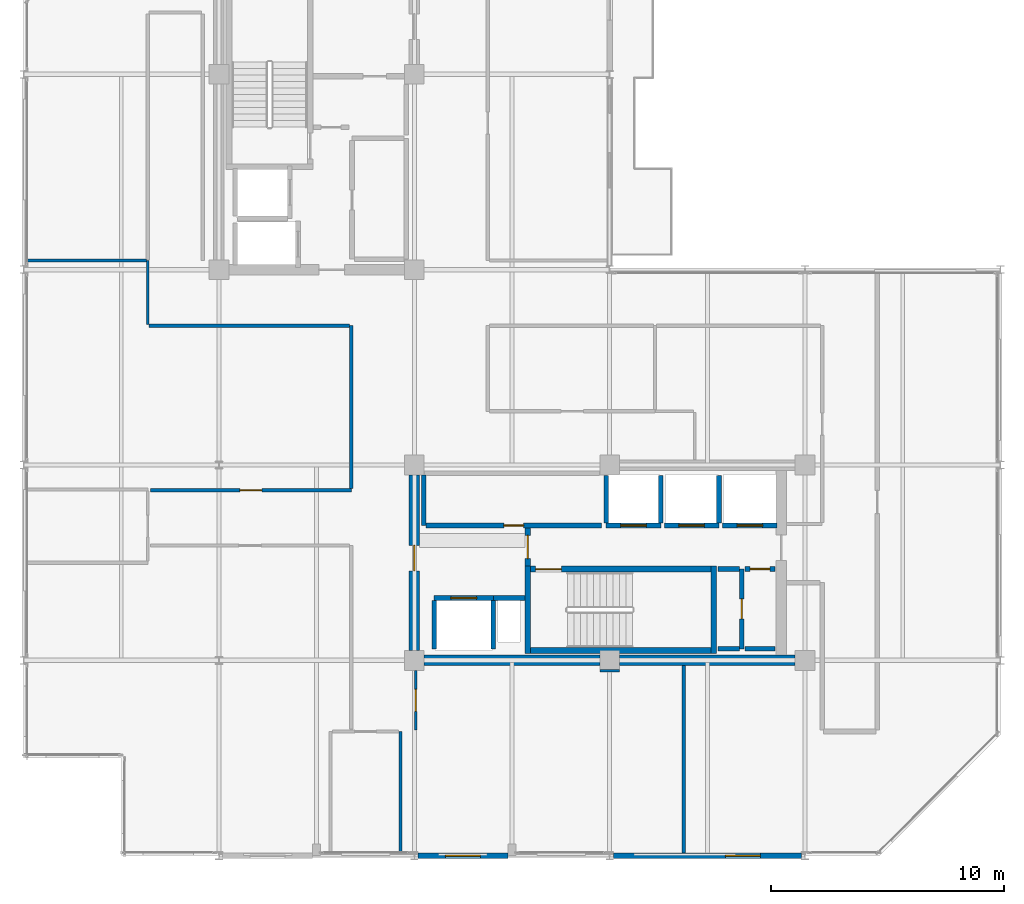
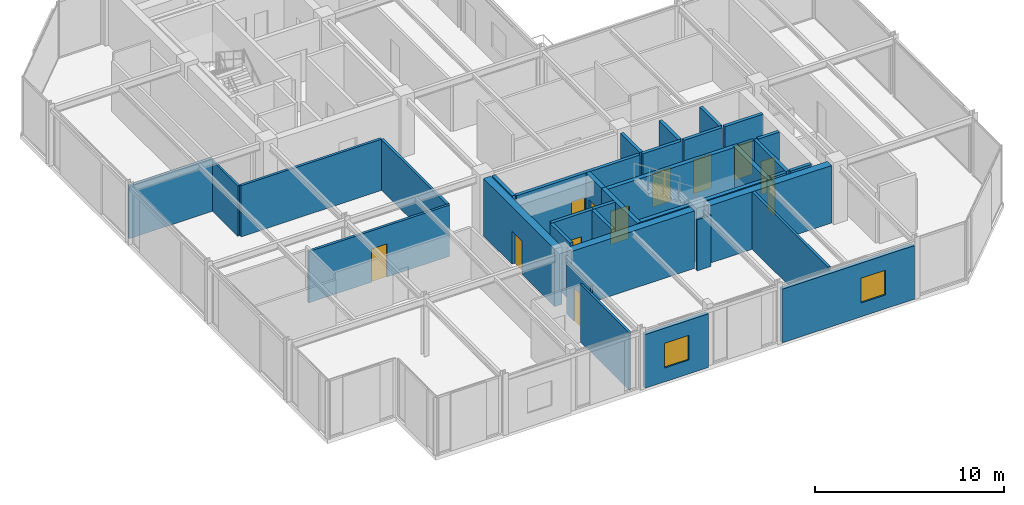
# One storey, part 21 of 26: 36 walls, 12 doors, 2 windows, 14 openings.
"""IFC4 building model written with IfcOpenShell, lengths in metres."""

from ifc_helpers import new_model, si_unit, direction, frame, frame_2d, origin, place, context, subcontext, project, spatial, rectangle, extrude, material, layer, layer_set, type_object, element, fill, save


model = new_model("IFC4")

# Units and contexts
model_context = context("Model", 3, precision=1e-05, world=origin(), true_north=direction((0.0, 1.0)))
body_context = subcontext(model_context, "Body", "Model", "MODEL_VIEW")
ifc_project = project(units=[si_unit("LENGTHUNIT", "METRE"), si_unit("AREAUNIT", "SQUARE_METRE"), si_unit("VOLUMEUNIT", "CUBIC_METRE"), si_unit("PLANEANGLEUNIT", "RADIAN"), si_unit("MASSUNIT", "GRAM", prefix="KILO")], contexts=[model_context])

# Site, building, storey
site_placement = place(None, origin())
site = spatial("IfcSite", under=ifc_project, at=site_placement, CompositionType="ELEMENT")
building_placement = place(site_placement, origin())
building = spatial("IfcBuilding", under=site, at=building_placement, Name="Nerrivon Quay Data Exchange", CompositionType="ELEMENT")
storey_placement = place(building_placement, frame((0.0, 0.0, 270.199951171875)))
storey = spatial("IfcBuildingStorey", under=building, at=storey_placement, Name="L64", CompositionType="ELEMENT", Elevation=270.199951171875)

# Wall, opening, window
ifc_material_1 = material(Name="Architectural terracotta precast concrete N50 (50 MPa)", Category="masonry")
ifc_layer_1 = layer(ifc_material_1, 0.239990234375)
ifc_layer_set_1 = layer_set([ifc_layer_1], Name="Architectural terracotta precast concrete N50 (50 MPa)")
wall_type_1 = type_object("IfcWallType", Name="EW-PREC-240", PredefinedType="STANDARD", material=ifc_layer_set_1)
wall_1_placement = place(storey_placement, frame((33.444580078125, 0.0, 0.0), z_axis=(0.0, 0.0, 1.0), x_axis=(-1.0, 0.0, 0.0)))
wall_1 = element("IfcWall", 1, at=wall_1_placement, inside=storey, type_object=wall_type_1, Name="L64 Podium Precast Spandrel Wall 3", PredefinedType="STANDARD", context=body_context, shape_type="SweptSolid", body=[
    extrude(rectangle(XDim=8.089111328125, YDim=0.239990234375, at=frame_2d((4.04443359375, 0.0))), origin(), (0.0, 0.0, 1.0), 3.47509765625),
])
opening_1_placement = place(wall_1_placement, frame((1.76953125, 0.0, 0.89990234375)))
opening_1 = element("IfcOpeningElement", 2, at=opening_1_placement, cuts=wall_1, Name="Opening WN4", PredefinedType="OPENING", context=body_context, shape_type="SweptSolid", body=[
    extrude(rectangle(XDim=1.5, YDim=1.60009765625, at=frame_2d((0.75, 0.800048828125))), frame((0.0, 0.1298828125, 0.0), z_axis=(0.0, -1.0, 0.0), x_axis=(1.0, 0.0, 0.0)), (0.0, 0.0, 1.0), 0.260009765625),
])
ifc_material_2 = material(Name="Double-glazed low-E solar control glass", Category="glass")
window_type = type_object("IfcWindowType", Name="WIN-W4-1500x1600", PartitioningType="SINGLE_PANEL", PredefinedType="WINDOW", material=ifc_material_2)
window_1_placement = place(opening_1_placement, origin())
window_1 = element("IfcWindow", 3, at=window_1_placement, inside=storey, type_object=window_type, Name="L64 Solar Facade Window 3", OverallHeight=1.60009765625, OverallWidth=1.5, PartitioningType="SINGLE_PANEL", PredefinedType="WINDOW", context=body_context, shape_type="SweptSolid", body=[
    extrude(rectangle(XDim=1.5, YDim=1.60009765625, at=frame_2d((0.75, 0.800048828125))), frame((0.0, 0.030029296875, 0.0), z_axis=(0.0, -1.0, 0.0), x_axis=(1.0, 0.0, 0.0)), (0.0, 0.0, 1.0), 0.06005859375),
])
fill(opening_1, window_1)

wall_2_placement = place(storey_placement, frame((20.824951171875, 0.0, 0.0), z_axis=(0.0, 0.0, 1.0), x_axis=(-1.0, 0.0, 0.0)))
wall_2 = element("IfcWall", 4, at=wall_2_placement, inside=storey, type_object=wall_type_1, Name="L64 Podium Precast Spandrel Wall 5", PredefinedType="STANDARD", context=body_context, shape_type="SweptSolid", body=[
    extrude(rectangle(XDim=3.869384765625, YDim=0.239990234375, at=frame_2d((1.9345703125, 0.0))), origin(), (0.0, 0.0, 1.0), 3.47509765625),
])
opening_2_placement = place(wall_2_placement, frame((1.184814453125, 0.0, 0.89990234375)))
opening_2 = element("IfcOpeningElement", 5, at=opening_2_placement, cuts=wall_2, Name="Opening WN4", PredefinedType="OPENING", context=body_context, shape_type="SweptSolid", body=[
    extrude(rectangle(XDim=1.5, YDim=1.60009765625, at=frame_2d((0.75, 0.800048828125))), frame((0.0, 0.1298828125, 0.0), z_axis=(0.0, -1.0, 0.0), x_axis=(1.0, 0.0, 0.0)), (0.0, 0.0, 1.0), 0.260009765625),
])
window_2_placement = place(opening_2_placement, origin())
window_2 = element("IfcWindow", 6, at=window_2_placement, inside=storey, type_object=window_type, Name="L64 Solar Facade Window 5", OverallHeight=1.60009765625, OverallWidth=1.5, PartitioningType="SINGLE_PANEL", PredefinedType="WINDOW", context=body_context, shape_type="SweptSolid", body=[
    extrude(rectangle(XDim=1.5, YDim=1.60009765625, at=frame_2d((0.75, 0.800048828125))), frame((0.0, 0.030029296875, 0.0), z_axis=(0.0, -1.0, 0.0), x_axis=(1.0, 0.0, 0.0)), (0.0, 0.0, 1.0), 0.06005859375),
])
fill(opening_2, window_2)

# Walls
ifc_material_3 = material(Name="Concrete N50 (50 MPa)", Category="concrete")
ifc_layer_2 = layer(ifc_material_3, 0.449951171875)
ifc_layer_set_2 = layer_set([ifc_layer_2], Name="Concrete N50 (50 MPa)")
wall_type_2 = type_object("IfcWallType", Name="WALL-CW-550", PredefinedType="SHEAR", material=ifc_layer_set_2)
wall_3_placement = place(storey_placement, frame((17.22509765625, 8.39990234375, 0.0), z_axis=(0.0, 0.0, 1.0), x_axis=(1.0, 0.0, 0.0)))
element("IfcWall", 7, at=wall_3_placement, inside=storey, type_object=wall_type_2, Name="L64 East Split-Core Shear Wall ECW-S1", PredefinedType="SHEAR", context=body_context, shape_type="SweptSolid", body=[
    extrude(rectangle(XDim=7.5498046875, YDim=0.449951171875, at=frame_2d((3.77490234375, 0.0))), origin(), (0.0, 0.0, 1.0), 3.72509765625),
])
wall_4_placement = place(storey_placement, frame((25.625, 8.39990234375, 0.0), z_axis=(0.0, 0.0, 1.0), x_axis=(1.0, 0.0, 0.0)))
element("IfcWall", 8, at=wall_4_placement, inside=storey, type_object=wall_type_2, Name="L64 East Split-Core Shear Wall ECW-S2", PredefinedType="SHEAR", context=body_context, shape_type="SweptSolid", body=[
    extrude(rectangle(XDim=7.550048828125, YDim=0.449951171875, at=frame_2d((3.77490234375, 0.0))), origin(), (0.0, 0.0, 1.0), 3.72509765625),
])

# Wall, opening, door
wall_5_placement = place(storey_placement, frame((16.800048828125, 8.824951171875, 0.0), z_axis=(0.0, 0.0, 1.0), x_axis=(0.0, 1.0, 0.0)))
wall_5 = element("IfcWall", 9, at=wall_5_placement, inside=storey, type_object=wall_type_2, Name="L64 East Split-Core Shear Wall ECW-W1", PredefinedType="SHEAR", context=body_context, shape_type="SweptSolid", body=[
    extrude(rectangle(XDim=7.550048828125, YDim=0.449951171875, at=frame_2d((3.77490234375, 0.0))), origin(), (0.0, 0.0, 1.0), 3.72509765625),
])
opening_3_placement = place(wall_5_placement, frame((3.425048828125, 0.0, 0.0)))
opening_3 = element("IfcOpeningElement", 10, at=opening_3_placement, cuts=wall_5, Name="Opening FD-120", PredefinedType="OPENING", context=body_context, shape_type="SweptSolid", body=[
    extrude(rectangle(XDim=1.10009765625, YDim=2.14990234375, at=frame_2d((0.550048828125, 1.074951171875))), frame((0.0, 0.23486328125, 0.0), z_axis=(0.0, -1.0, 0.0), x_axis=(1.0, 0.0, 0.0)), (0.0, 0.0, 1.0), 0.469970703125),
])
ifc_material_4 = material(Name="Powder-coated galvanized steel sheet", Category="steel")
door_type_1 = type_object("IfcDoorType", Name="DR-FD120-1100", OperationType="NOTDEFINED", PredefinedType="DOOR", material=ifc_material_4)
door_1_placement = place(opening_3_placement, origin())
door_1 = element("IfcDoor", 11, at=door_1_placement, inside=storey, type_object=door_type_1, Name="L64 East Core Lobby Fire Door", OperationType="SINGLE_SWING_RIGHT", OverallHeight=2.14990234375, OverallWidth=1.10009765625, PredefinedType="DOOR", context=body_context, shape_type="SweptSolid", body=[
    extrude(rectangle(XDim=1.10009765625, YDim=2.14990234375, at=frame_2d((0.550048828125, 1.074951171875))), frame((0.0, 0.02490234375, 0.0), z_axis=(0.0, -1.0, 0.0), x_axis=(1.0, 0.0, 0.0)), (0.0, 0.0, 1.0), 0.050048828125),
])
fill(opening_3, door_1)

# Wall
ifc_material_5 = material(Name="Gypsum plasterboard on cold-formed framing", Category="gypsum")
ifc_layer_3 = layer(ifc_material_5, 0.199951171875)
ifc_layer_set_3 = layer_set([ifc_layer_3], Name="Gypsum plasterboard on cold-formed framing")
wall_type_3 = type_object("IfcWallType", Name="WALL-FW-200", PredefinedType="PARTITIONING", material=ifc_layer_set_3)
wall_6_placement = place(storey_placement, frame((20.199951171875, 11.080078125, 0.0), z_axis=(0.0, 0.0, 1.0), x_axis=(1.0, 0.0, 0.0)))
element("IfcWall", 12, at=wall_6_placement, inside=storey, type_object=wall_type_3, Name="L64 East Core MEP Riser Shaft Wall N", PredefinedType="PARTITIONING", context=body_context, shape_type="SweptSolid", body=[
    extrude(rectangle(XDim=1.35009765625, YDim=0.199951171875, at=frame_2d((0.675048828125, 0.0))), origin(), (0.0, 0.0, 1.0), 3.72509765625),
])

# Wall, opening, door
wall_7_placement = place(storey_placement, frame((17.64990234375, 11.080078125, 0.0), z_axis=(0.0, 0.0, 1.0), x_axis=(1.0, 0.0, 0.0)))
wall_7 = element("IfcWall", 13, at=wall_7_placement, inside=storey, type_object=wall_type_3, Name="L64 Lift Front Wall FFL-2", PredefinedType="PARTITIONING", context=body_context, shape_type="SweptSolid", body=[
    extrude(rectangle(XDim=2.550048828125, YDim=0.199951171875, at=frame_2d((1.27490234375, 0.0))), origin(), (0.0, 0.0, 1.0), 3.72509765625),
])
opening_4_placement = place(wall_7_placement, frame((0.72509765625, 0.0, 0.0)))
opening_4 = element("IfcOpeningElement", 14, at=opening_4_placement, cuts=wall_7, Name="Opening LD-120", PredefinedType="OPENING", context=body_context, shape_type="SweptSolid", body=[
    extrude(rectangle(XDim=1.10009765625, YDim=2.199951171875, at=frame_2d((0.550048828125, 1.10009765625))), frame((0.0, 0.10986328125, 0.0), z_axis=(0.0, -1.0, 0.0), x_axis=(1.0, 0.0, 0.0)), (0.0, 0.0, 1.0), 0.219970703125),
])
door_type_2 = type_object("IfcDoorType", Name="DR-LIFT-LD120", OperationType="DOUBLE_DOOR_SLIDING", PredefinedType="DOOR", material=ifc_material_4)
door_2_placement = place(opening_4_placement, origin())
door_2 = element("IfcDoor", 15, at=door_2_placement, inside=storey, type_object=door_type_2, Name="L64 Lift Landing Sliding Door FFL-2", OperationType="DOUBLE_DOOR_SLIDING", OverallHeight=2.199951171875, OverallWidth=1.10009765625, PredefinedType="DOOR", context=body_context, shape_type="SweptSolid", body=[
    extrude(rectangle(XDim=1.10009765625, YDim=2.199951171875, at=frame_2d((0.550048828125, 1.10009765625))), frame((0.0, 0.02490234375, 0.0), z_axis=(0.0, -1.0, 0.0), x_axis=(1.0, 0.0, 0.0)), (0.0, 0.0, 1.0), 0.050048828125),
])
fill(opening_4, door_2)

# Walls
for number, where, z_axis, x_axis, name in (
    (16, (20.199951171875, 8.8798828125, 0.0), (0.0, 0.0, 1.0), (0.0, 1.0, 0.0), "L64 Lift Shaft Wall FFL-2 EAST"),
    (17, (17.64990234375, 8.8798828125, 0.0), (0.0, 0.0, 1.0), (0.0, 1.0, 0.0), "L64 Lift Shaft Wall FFL-2 WEST"),
):
    element("IfcWall", number, at=place(storey_placement, frame(where, z_axis=z_axis, x_axis=x_axis)), inside=storey, type_object=wall_type_3, Name=name, PredefinedType="PARTITIONING", context=body_context, shape_type="SweptSolid", body=[
        extrude(rectangle(XDim=2.10009765625, YDim=0.199951171875, at=frame_2d((1.050048828125, 0.0))), origin(), (0.0, 0.0, 1.0), 3.72509765625),
    ])

# Wall, opening, door
wall_8_placement = place(storey_placement, frame((25.050048828125, 14.199951171875, 0.0), z_axis=(0.0, 0.0, 1.0), x_axis=(1.0, 0.0, 0.0)))
wall_8 = element("IfcWall", 18, at=wall_8_placement, inside=storey, type_object=wall_type_3, Name="L64 Lift Front Wall PL7", PredefinedType="PARTITIONING", context=body_context, shape_type="SweptSolid", body=[
    extrude(rectangle(XDim=2.349853515625, YDim=0.199951171875, at=frame_2d((1.1748046875, 0.0))), origin(), (0.0, 0.0, 1.0), 3.72509765625),
])
opening_5_placement = place(wall_8_placement, frame((0.625, 0.0, 0.0)))
opening_5 = element("IfcOpeningElement", 19, at=opening_5_placement, cuts=wall_8, Name="Opening LD-120", PredefinedType="OPENING", context=body_context, shape_type="SweptSolid", body=[
    extrude(rectangle(XDim=1.10009765625, YDim=2.199951171875, at=frame_2d((0.550048828125, 1.10009765625))), frame((0.0, 0.10986328125, 0.0), z_axis=(0.0, -1.0, 0.0), x_axis=(1.0, 0.0, 0.0)), (0.0, 0.0, 1.0), 0.219970703125),
])
door_3_placement = place(opening_5_placement, origin())
door_3 = element("IfcDoor", 20, at=door_3_placement, inside=storey, type_object=door_type_2, Name="L64 Lift Landing Sliding Door PL7", OperationType="DOUBLE_DOOR_SLIDING", OverallHeight=2.199951171875, OverallWidth=1.10009765625, PredefinedType="DOOR", context=body_context, shape_type="SweptSolid", body=[
    extrude(rectangle(XDim=1.10009765625, YDim=2.199951171875, at=frame_2d((0.550048828125, 1.10009765625))), frame((0.0, 0.02490234375, 0.0), z_axis=(0.0, -1.0, 0.0), x_axis=(1.0, 0.0, 0.0)), (0.0, 0.0, 1.0), 0.050048828125),
])
fill(opening_5, door_3)

# Walls
for number, where, z_axis, x_axis, name in (
    (21, (27.39990234375, 14.300048828125, 0.0), (0.0, 0.0, 1.0), (0.0, 1.0, 0.0), "L64 Lift Shaft Wall PL7 EAST"),
    (22, (25.050048828125, 14.300048828125, 0.0), (0.0, 0.0, 1.0), (0.0, 1.0, 0.0), "L64 Lift Shaft Wall PL7 WEST"),
):
    element("IfcWall", number, at=place(storey_placement, frame(where, z_axis=z_axis, x_axis=x_axis)), inside=storey, type_object=wall_type_3, Name=name, PredefinedType="PARTITIONING", context=body_context, shape_type="SweptSolid", body=[
        extrude(rectangle(XDim=2.050048828125, YDim=0.199951171875, at=frame_2d((1.02490234375, 0.0))), origin(), (0.0, 0.0, 1.0), 3.72509765625),
    ])

# Wall, opening, door
wall_9_placement = place(storey_placement, frame((27.550048828125, 14.199951171875, 0.0), z_axis=(0.0, 0.0, 1.0), x_axis=(1.0, 0.0, 0.0)))
wall_9 = element("IfcWall", 23, at=wall_9_placement, inside=storey, type_object=wall_type_3, Name="L64 Lift Front Wall PL8", PredefinedType="PARTITIONING", context=body_context, shape_type="SweptSolid", body=[
    extrude(rectangle(XDim=2.349853515625, YDim=0.199951171875, at=frame_2d((1.1748046875, 0.0))), origin(), (0.0, 0.0, 1.0), 3.72509765625),
])
opening_6_placement = place(wall_9_placement, frame((0.625, 0.0, 0.0)))
opening_6 = element("IfcOpeningElement", 24, at=opening_6_placement, cuts=wall_9, Name="Opening LD-120", PredefinedType="OPENING", context=body_context, shape_type="SweptSolid", body=[
    extrude(rectangle(XDim=1.10009765625, YDim=2.199951171875, at=frame_2d((0.550048828125, 1.10009765625))), frame((0.0, 0.10986328125, 0.0), z_axis=(0.0, -1.0, 0.0), x_axis=(1.0, 0.0, 0.0)), (0.0, 0.0, 1.0), 0.219970703125),
])
door_4_placement = place(opening_6_placement, origin())
door_4 = element("IfcDoor", 25, at=door_4_placement, inside=storey, type_object=door_type_2, Name="L64 Lift Landing Sliding Door PL8", OperationType="DOUBLE_DOOR_SLIDING", OverallHeight=2.199951171875, OverallWidth=1.10009765625, PredefinedType="DOOR", context=body_context, shape_type="SweptSolid", body=[
    extrude(rectangle(XDim=1.10009765625, YDim=2.199951171875, at=frame_2d((0.550048828125, 1.10009765625))), frame((0.0, 0.02490234375, 0.0), z_axis=(0.0, -1.0, 0.0), x_axis=(1.0, 0.0, 0.0)), (0.0, 0.0, 1.0), 0.050048828125),
])
fill(opening_6, door_4)

# Wall
wall_10_placement = place(storey_placement, frame((29.89990234375, 14.300048828125, 0.0), z_axis=(0.0, 0.0, 1.0), x_axis=(0.0, 1.0, 0.0)))
element("IfcWall", 26, at=wall_10_placement, inside=storey, type_object=wall_type_3, Name="L64 Lift Shaft Wall PL8 EAST", PredefinedType="PARTITIONING", context=body_context, shape_type="SweptSolid", body=[
    extrude(rectangle(XDim=2.050048828125, YDim=0.199951171875, at=frame_2d((1.02490234375, 0.0))), origin(), (0.0, 0.0, 1.0), 3.72509765625),
])

# Wall, opening, door
wall_11_placement = place(storey_placement, frame((30.050048828125, 14.199951171875, 0.0), z_axis=(0.0, 0.0, 1.0), x_axis=(1.0, 0.0, 0.0)))
wall_11 = element("IfcWall", 27, at=wall_11_placement, inside=storey, type_object=wall_type_3, Name="L64 Lift Front Wall PL9", PredefinedType="PARTITIONING", context=body_context, shape_type="SweptSolid", body=[
    extrude(rectangle(XDim=2.349853515625, YDim=0.199951171875, at=frame_2d((1.1748046875, 0.0))), origin(), (0.0, 0.0, 1.0), 3.72509765625),
])
opening_7_placement = place(wall_11_placement, frame((0.625, 0.0, 0.0)))
opening_7 = element("IfcOpeningElement", 28, at=opening_7_placement, cuts=wall_11, Name="Opening LD-120", PredefinedType="OPENING", context=body_context, shape_type="SweptSolid", body=[
    extrude(rectangle(XDim=1.10009765625, YDim=2.199951171875, at=frame_2d((0.550048828125, 1.10009765625))), frame((0.0, 0.10986328125, 0.0), z_axis=(0.0, -1.0, 0.0), x_axis=(1.0, 0.0, 0.0)), (0.0, 0.0, 1.0), 0.219970703125),
])
door_5_placement = place(opening_7_placement, origin())
door_5 = element("IfcDoor", 29, at=door_5_placement, inside=storey, type_object=door_type_2, Name="L64 Lift Landing Sliding Door PL9", OperationType="DOUBLE_DOOR_SLIDING", OverallHeight=2.199951171875, OverallWidth=1.10009765625, PredefinedType="DOOR", context=body_context, shape_type="SweptSolid", body=[
    extrude(rectangle(XDim=1.10009765625, YDim=2.199951171875, at=frame_2d((0.550048828125, 1.10009765625))), frame((0.0, 0.02490234375, 0.0), z_axis=(0.0, -1.0, 0.0), x_axis=(1.0, 0.0, 0.0)), (0.0, 0.0, 1.0), 0.050048828125),
])
fill(opening_7, door_5)

# Wall
wall_12_placement = place(storey_placement, frame((17.199951171875, 16.3701171875, 0.0), z_axis=(0.0, 0.0, 1.0), x_axis=(0.0, -1.0, 0.0)))
element("IfcWall", 30, at=wall_12_placement, inside=storey, type_object=wall_type_3, Name="L64 Partition High-Zone Patching Archive", PredefinedType="PARTITIONING", context=body_context, shape_type="SweptSolid", body=[
    extrude(rectangle(XDim=2.170166015625, YDim=0.199951171875, at=frame_2d((1.0849609375, 0.0))), origin(), (0.0, 0.0, 1.0), 3.72509765625),
])

# Wall, opening, door
wall_13_placement = place(storey_placement, frame((17.303955078125, 14.199951171875, 0.0), z_axis=(0.0, 0.0, 1.0), x_axis=(1.0, 0.0, 0.0)))
wall_13 = element("IfcWall", 31, at=wall_13_placement, inside=storey, type_object=wall_type_3, Name="L64 Partition High-Zone Patching Archive", PredefinedType="PARTITIONING", context=body_context, shape_type="SweptSolid", body=[
    extrude(rectangle(XDim=7.546142578125, YDim=0.199951171875, at=frame_2d((3.77294921875, 0.0))), origin(), (0.0, 0.0, 1.0), 3.72509765625),
])
opening_8_placement = place(wall_13_placement, frame((3.347900390625, 0.0, 0.0)))
opening_8 = element("IfcOpeningElement", 32, at=opening_8_placement, cuts=wall_13, Name="Opening FD-60S", PredefinedType="OPENING", context=body_context, shape_type="SweptSolid", body=[
    extrude(rectangle(XDim=0.85009765625, YDim=2.14990234375, at=frame_2d((0.425048828125, 1.074951171875))), frame((0.0, 0.10986328125, 0.0), z_axis=(0.0, -1.0, 0.0), x_axis=(1.0, 0.0, 0.0)), (0.0, 0.0, 1.0), 0.219970703125),
])
ifc_material_6 = material(Name="Engineered hardwood timber", Category="wood")
door_type_3 = type_object("IfcDoorType", Name="DR-FD60-850", OperationType="NOTDEFINED", PredefinedType="DOOR", material=ifc_material_6)
door_6_placement = place(opening_8_placement, origin())
door_6 = element("IfcDoor", 33, at=door_6_placement, inside=storey, type_object=door_type_3, Name="L64 Door High-Zone Patching Archive", OperationType="SINGLE_SWING_LEFT", OverallHeight=2.14990234375, OverallWidth=0.85009765625, PredefinedType="DOOR", context=body_context, shape_type="SweptSolid", body=[
    extrude(rectangle(XDim=0.85009765625, YDim=2.14990234375, at=frame_2d((0.425048828125, 1.074951171875))), frame((0.0, 0.02490234375, 0.0), z_axis=(0.0, -1.0, 0.0), x_axis=(1.0, 0.0, 0.0)), (0.0, 0.0, 1.0), 0.050048828125),
])
fill(opening_8, door_6)

wall_14_placement = place(storey_placement, frame((30.8798828125, 8.89990234375, 0.0), z_axis=(0.0, 0.0, 1.0), x_axis=(0.0, 1.0, 0.0)))
wall_14 = element("IfcWall", 34, at=wall_14_placement, inside=storey, type_object=wall_type_3, Name="L64 Partition East Electrical Closet", PredefinedType="PARTITIONING", context=body_context, shape_type="SweptSolid", body=[
    extrude(rectangle(XDim=3.43017578125, YDim=0.199951171875, at=frame_2d((1.715087890625, 0.0))), origin(), (0.0, 0.0, 1.0), 3.72509765625),
])
opening_9_placement = place(wall_14_placement, frame((1.2900390625, 0.0, 0.0)))
opening_9 = element("IfcOpeningElement", 35, at=opening_9_placement, cuts=wall_14, Name="Opening FD-60S", PredefinedType="OPENING", context=body_context, shape_type="SweptSolid", body=[
    extrude(rectangle(XDim=0.85009765625, YDim=2.14990234375, at=frame_2d((0.425048828125, 1.074951171875))), frame((0.0, 0.10986328125, 0.0), z_axis=(0.0, -1.0, 0.0), x_axis=(1.0, 0.0, 0.0)), (0.0, 0.0, 1.0), 0.219970703125),
])
door_7_placement = place(opening_9_placement, origin())
door_7 = element("IfcDoor", 36, at=door_7_placement, inside=storey, type_object=door_type_3, Name="L64 Door East Electrical Closet", OperationType="SINGLE_SWING_RIGHT", OverallHeight=2.14990234375, OverallWidth=0.85009765625, PredefinedType="DOOR", context=body_context, shape_type="SweptSolid", body=[
    extrude(rectangle(XDim=0.85009765625, YDim=2.14990234375, at=frame_2d((0.425048828125, 1.074951171875))), frame((0.0, 0.02490234375, 0.0), z_axis=(0.0, -1.0, 0.0), x_axis=(1.0, 0.0, 0.0)), (0.0, 0.0, 1.0), 0.050048828125),
])
fill(opening_9, door_7)

# Walls
for number, where, z_axis, x_axis, name in (
    (37, (30.77587890625, 12.330078125, 0.0), (0.0, 0.0, 1.0), (-1.0, 0.0, 0.0), "L64 Partition East Electrical Closet"),
    (38, (29.85009765625, 8.89990234375, 0.0), (0.0, 0.0, 1.0), (1.0, 0.0, 0.0), "L64 Partition East Electrical Closet"),
):
    element("IfcWall", number, at=place(storey_placement, frame(where, z_axis=z_axis, x_axis=x_axis)), inside=storey, type_object=wall_type_3, Name=name, PredefinedType="PARTITIONING", context=body_context, shape_type="SweptSolid", body=[
        extrude(rectangle(XDim=0.92578125, YDim=0.199951171875, at=frame_2d((0.462890625, 0.0))), origin(), (0.0, 0.0, 1.0), 3.72509765625),
    ])

# Wall, opening, door
wall_15_placement = place(storey_placement, frame((32.300048828125, 12.330078125, 0.0), z_axis=(0.0, 0.0, 1.0), x_axis=(-1.0, 0.0, 0.0)))
wall_15 = element("IfcWall", 39, at=wall_15_placement, inside=storey, type_object=wall_type_3, Name="L64 Partition East Cleaners Store", PredefinedType="PARTITIONING", context=body_context, shape_type="SweptSolid", body=[
    extrude(rectangle(XDim=1.280029296875, YDim=0.199951171875, at=frame_2d((0.64013671875, 0.0))), origin(), (0.0, 0.0, 1.0), 3.72509765625),
])
opening_10_placement = place(wall_15_placement, frame((0.215087890625, 0.0, 0.0)))
opening_10 = element("IfcOpeningElement", 40, at=opening_10_placement, cuts=wall_15, Name="Opening FD-60S", PredefinedType="OPENING", context=body_context, shape_type="SweptSolid", body=[
    extrude(rectangle(XDim=0.85009765625, YDim=2.14990234375, at=frame_2d((0.425048828125, 1.074951171875))), frame((0.0, 0.10986328125, 0.0), z_axis=(0.0, -1.0, 0.0), x_axis=(1.0, 0.0, 0.0)), (0.0, 0.0, 1.0), 0.219970703125),
])
door_8_placement = place(opening_10_placement, origin())
door_8 = element("IfcDoor", 41, at=door_8_placement, inside=storey, type_object=door_type_3, Name="L64 Door East Cleaners Store", OperationType="SINGLE_SWING_LEFT", OverallHeight=2.14990234375, OverallWidth=0.85009765625, PredefinedType="DOOR", context=body_context, shape_type="SweptSolid", body=[
    extrude(rectangle(XDim=0.85009765625, YDim=2.14990234375, at=frame_2d((0.425048828125, 1.074951171875))), frame((0.0, 0.02490234375, 0.0), z_axis=(0.0, -1.0, 0.0), x_axis=(1.0, 0.0, 0.0)), (0.0, 0.0, 1.0), 0.050048828125),
])
fill(opening_10, door_8)

# Walls
wall_16_placement = place(storey_placement, frame((31.02001953125, 8.89990234375, 0.0), z_axis=(0.0, 0.0, 1.0), x_axis=(1.0, 0.0, 0.0)))
element("IfcWall", 42, at=wall_16_placement, inside=storey, type_object=wall_type_3, Name="L64 Partition East Cleaners Store", PredefinedType="PARTITIONING", context=body_context, shape_type="SweptSolid", body=[
    extrude(rectangle(XDim=1.280029296875, YDim=0.199951171875, at=frame_2d((0.64013671875, 0.0))), origin(), (0.0, 0.0, 1.0), 3.72509765625),
])
ifc_layer_4 = layer(ifc_material_5, 0.1201171875)
ifc_layer_set_4 = layer_set([ifc_layer_4], Name="Gypsum plasterboard on cold-formed framing")
wall_type_4 = type_object("IfcWallType", Name="WALL-PT-120", PredefinedType="PARTITIONING", material=ifc_layer_set_4)
wall_17_placement = place(storey_placement, frame((25.630859375, 7.955810546875, 0.0), z_axis=(0.0, 0.0, 1.0), x_axis=(-0.99999963391, -0.000855675671, 0.0)))
element("IfcWall", 43, at=wall_17_placement, inside=storey, type_object=wall_type_4, Name="L64 Partition Mail and Crew Room", PredefinedType="PARTITIONING", context=body_context, shape_type="SweptSolid", body=[
    extrude(rectangle(XDim=0.85595703125, YDim=0.1201171875, at=frame_2d((0.427978515625, 0.0))), origin(), (0.0, 0.0, 1.0), 3.319091796875),
])

# Wall, opening, door
wall_18_placement = place(storey_placement, frame((16.860107421875, 7.955078125, 0.0), z_axis=(0.0, 0.0, 1.0), x_axis=(0.0, -1.0, 0.0)))
wall_18 = element("IfcWall", 44, at=wall_18_placement, inside=storey, type_object=wall_type_4, Name="L64 Partition Mail and Crew Room", PredefinedType="PARTITIONING", context=body_context, shape_type="SweptSolid", body=[
    extrude(rectangle(XDim=2.55517578125, YDim=0.1201171875, at=frame_2d((1.277587890625, 0.0))), origin(), (0.0, 0.0, 1.0), 3.319091796875),
])
opening_11_placement = place(wall_18_placement, frame((0.802490234375, 0.0, 0.0)))
opening_11 = element("IfcOpeningElement", 45, at=opening_11_placement, cuts=wall_18, Name="Opening D-01", PredefinedType="OPENING", context=body_context, shape_type="SweptSolid", body=[
    extrude(rectangle(XDim=0.949951171875, YDim=2.14990234375, at=frame_2d((0.47509765625, 1.074951171875))), frame((0.0, 0.070068359375, 0.0), z_axis=(0.0, -1.0, 0.0), x_axis=(1.0, 0.0, 0.0)), (0.0, 0.0, 1.0), 0.14013671875),
])
door_type_4 = type_object("IfcDoorType", Name="DR-INT-950", OperationType="NOTDEFINED", PredefinedType="DOOR", material=ifc_material_6)
door_9_placement = place(opening_11_placement, origin())
door_9 = element("IfcDoor", 46, at=door_9_placement, inside=storey, type_object=door_type_4, Name="L64 Door Mail and Crew Room", OperationType="SINGLE_SWING_RIGHT", OverallHeight=2.14990234375, OverallWidth=0.949951171875, PredefinedType="DOOR", context=body_context, shape_type="SweptSolid", body=[
    extrude(rectangle(XDim=0.949951171875, YDim=2.14990234375, at=frame_2d((0.47509765625, 1.074951171875))), frame((0.0, 0.02490234375, 0.0), z_axis=(0.0, -1.0, 0.0), x_axis=(1.0, 0.0, 0.0)), (0.0, 0.0, 1.0), 0.050048828125),
])
fill(opening_11, door_9)

# Walls
wall_19_placement = place(storey_placement, frame((5.340087890625, 22.85009765625, 0.0), z_axis=(0.0, 0.0, 1.0), x_axis=(0.0, 1.0, 0.0)))
element("IfcWall", 47, at=wall_19_placement, inside=storey, type_object=wall_type_4, Name="L64 Partition Engineers Lounge", PredefinedType="PARTITIONING", context=body_context, shape_type="SweptSolid", body=[
    extrude(rectangle(XDim=2.747802734375, YDim=0.1201171875, at=frame_2d((1.3740234375, 0.0))), origin(), (0.0, 0.0, 1.0), 3.27099609375),
])
ifc_layer_5 = layer(ifc_material_5, 0.135009765625)
ifc_layer_set_5 = layer_set([ifc_layer_5], Name="Gypsum plasterboard on cold-formed framing")
wall_type_5 = type_object("IfcWallType", Name="WALL-PT-135", PredefinedType="PARTITIONING", material=ifc_layer_set_5)
wall_20_placement = place(storey_placement, frame((16.199951171875, 0.1689453125, 0.0), z_axis=(0.0, 0.0, 1.0), x_axis=(0.0, 1.0, 0.0)))
element("IfcWall", 48, at=wall_20_placement, inside=storey, type_object=wall_type_5, Name="L64 Partition Public Washrooms", PredefinedType="PARTITIONING", context=body_context, shape_type="SweptSolid", body=[
    extrude(rectangle(XDim=5.171142578125, YDim=0.135009765625, at=frame_2d((2.58544921875, 0.0))), origin(), (0.0, 0.0, 1.0), 3.72509765625),
])
wall_21_placement = place(storey_placement, frame((5.27587890625, 25.597900390625, 0.0), z_axis=(0.0, 0.0, 1.0), x_axis=(-1.0, 0.0, 0.0)))
element("IfcWall", 49, at=wall_21_placement, inside=storey, type_object=wall_type_5, Name="L64 Partition Engineers Lounge", PredefinedType="PARTITIONING", context=body_context, shape_type="SweptSolid", body=[
    extrude(rectangle(XDim=5.10693359375, YDim=0.135009765625, at=frame_2d((2.553466796875, 0.0))), origin(), (0.0, 0.0, 1.0), 3.421142578125),
])
ifc_layer_6 = layer(ifc_material_5, 0.14990234375)
ifc_layer_set_6 = layer_set([ifc_layer_6], Name="Gypsum plasterboard on cold-formed framing")
wall_type_6 = type_object("IfcWallType", Name="WALL-PT-150", PredefinedType="PARTITIONING", material=ifc_layer_set_6)
wall_22_placement = place(storey_placement, frame((28.37548828125, 0.1240234375, 0.0), z_axis=(0.0, 0.0, 1.0), x_axis=(0.0, 1.0, 0.0)))
element("IfcWall", 50, at=wall_22_placement, inside=storey, type_object=wall_type_6, Name="L64 Partition Mail and Crew Room", PredefinedType="PARTITIONING", context=body_context, shape_type="SweptSolid", body=[
    extrude(rectangle(XDim=8.046875, YDim=0.14990234375, at=frame_2d((4.0234375, 0.0))), origin(), (0.0, 0.0, 1.0), 3.72509765625),
])

# Wall, opening, door
wall_23_placement = place(storey_placement, frame((5.4599609375, 15.7099609375, 0.0), z_axis=(0.0, 0.0, 1.0), x_axis=(1.0, 0.0, 0.0)))
wall_23 = element("IfcWall", 51, at=wall_23_placement, inside=storey, type_object=wall_type_6, Name="L64 Partition Engineers Lounge", PredefinedType="PARTITIONING", context=body_context, shape_type="SweptSolid", body=[
    extrude(rectangle(XDim=8.630126953125, YDim=0.14990234375, at=frame_2d((4.31494140625, 0.0))), origin(), (0.0, 0.0, 1.0), 3.319091796875),
])
opening_12_placement = place(wall_23_placement, frame((3.840087890625, 0.0, 0.0)))
opening_12 = element("IfcOpeningElement", 52, at=opening_12_placement, cuts=wall_23, Name="Opening D-01", PredefinedType="OPENING", context=body_context, shape_type="SweptSolid", body=[
    extrude(rectangle(XDim=0.949951171875, YDim=2.14990234375, at=frame_2d((0.47509765625, 1.074951171875))), frame((0.0, 0.0849609375, 0.0), z_axis=(0.0, -1.0, 0.0), x_axis=(1.0, 0.0, 0.0)), (0.0, 0.0, 1.0), 0.169921875),
])
door_10_placement = place(opening_12_placement, origin())
door_10 = element("IfcDoor", 53, at=door_10_placement, inside=storey, type_object=door_type_4, Name="L64 Door Engineers Lounge", OperationType="SINGLE_SWING_LEFT", OverallHeight=2.14990234375, OverallWidth=0.949951171875, PredefinedType="DOOR", context=body_context, shape_type="SweptSolid", body=[
    extrude(rectangle(XDim=0.949951171875, YDim=2.14990234375, at=frame_2d((0.47509765625, 1.074951171875))), frame((0.0, 0.02490234375, 0.0), z_axis=(0.0, -1.0, 0.0), x_axis=(1.0, 0.0, 0.0)), (0.0, 0.0, 1.0), 0.050048828125),
])
fill(opening_12, door_10)

# Walls
wall_24_placement = place(storey_placement, frame((14.090087890625, 15.7890625, 0.0), z_axis=(0.0, 0.0, 1.0), x_axis=(0.0, 1.0, 0.0)))
element("IfcWall", 54, at=wall_24_placement, inside=storey, type_object=wall_type_6, Name="L64 Partition Engineers Lounge", PredefinedType="PARTITIONING", context=body_context, shape_type="SweptSolid", body=[
    extrude(rectangle(XDim=7.0009765625, YDim=0.14990234375, at=frame_2d((3.50048828125, 0.0))), origin(), (0.0, 0.0, 1.0), 3.27099609375),
])
wall_25_placement = place(storey_placement, frame((14.010986328125, 22.7900390625, 0.0), z_axis=(0.0, 0.0, 1.0), x_axis=(-1.0, 0.0, 0.0)))
element("IfcWall", 55, at=wall_25_placement, inside=storey, type_object=wall_type_6, Name="L64 Partition Engineers Lounge", PredefinedType="PARTITIONING", context=body_context, shape_type="SweptSolid", body=[
    extrude(rectangle(XDim=8.611083984375, YDim=0.14990234375, at=frame_2d((4.3056640625, 0.0))), origin(), (0.0, 0.0, 1.0), 3.319091796875),
])
ifc_layer_7 = layer(ifc_material_3, 0.25)
ifc_layer_set_7 = layer_set([ifc_layer_7], Name="Concrete N50 (50 MPa)")
wall_type_7 = type_object("IfcWallType", Name="WALL-SW-250", PredefinedType="SHEAR", material=ifc_layer_set_7)
for number, where, z_axis, x_axis, name in (
    (56, (21.675048828125, 8.699951171875, 0.0), (0.0, 0.0, 1.0), (0.0, 1.0, 0.0), "L64 ST02 Structural Stair Core Wall NEAR"),
    (57, (29.675048828125, 8.699951171875, 0.0), (0.0, 0.0, 1.0), (0.0, 1.0, 0.0), "L64 ST02 Structural Stair Core Wall FAR"),
):
    element("IfcWall", number, at=place(storey_placement, frame(where, z_axis=z_axis, x_axis=x_axis)), inside=storey, type_object=wall_type_7, Name=name, PredefinedType="SHEAR", context=body_context, shape_type="SweptSolid", body=[
        extrude(rectangle(XDim=3.75, YDim=0.25, at=frame_2d((1.875, 0.0))), origin(), (0.0, 0.0, 1.0), 3.72509765625),
    ])
wall_26_placement = place(storey_placement, frame((21.800048828125, 8.824951171875, 0.0), z_axis=(0.0, 0.0, 1.0), x_axis=(1.0, 0.0, 0.0)))
element("IfcWall", 58, at=wall_26_placement, inside=storey, type_object=wall_type_7, Name="L64 ST02 Structural Stair Core Wall LEFT", PredefinedType="SHEAR", context=body_context, shape_type="SweptSolid", body=[
    extrude(rectangle(XDim=7.75, YDim=0.25, at=frame_2d((3.875, 0.0))), origin(), (0.0, 0.0, 1.0), 3.72509765625),
])

# Wall, opening, door
wall_27_placement = place(storey_placement, frame((21.800048828125, 12.324951171875, 0.0), z_axis=(0.0, 0.0, 1.0), x_axis=(1.0, 0.0, 0.0)))
wall_27 = element("IfcWall", 59, at=wall_27_placement, inside=storey, type_object=wall_type_7, Name="L64 ST02 Structural Stair Core Wall RIGHT", PredefinedType="SHEAR", context=body_context, shape_type="SweptSolid", body=[
    extrude(rectangle(XDim=7.75, YDim=0.25, at=frame_2d((3.875, 0.0))), origin(), (0.0, 0.0, 1.0), 3.72509765625),
])
opening_13_placement = place(wall_27_placement, frame((0.219970703125, 0.0, 0.0)))
opening_13 = element("IfcOpeningElement", 60, at=opening_13_placement, cuts=wall_27, Name="Opening FD-120", PredefinedType="OPENING", context=body_context, shape_type="SweptSolid", body=[
    extrude(rectangle(XDim=1.10009765625, YDim=2.14990234375, at=frame_2d((0.550048828125, 1.074951171875))), frame((0.0, 0.135009765625, 0.0), z_axis=(0.0, -1.0, 0.0), x_axis=(1.0, 0.0, 0.0)), (0.0, 0.0, 1.0), 0.27001953125),
])
door_11_placement = place(opening_13_placement, origin())
door_11 = element("IfcDoor", 61, at=door_11_placement, inside=storey, type_object=door_type_1, Name="L64 Protected Stair Door ST02", OperationType="SINGLE_SWING_RIGHT", OverallHeight=2.14990234375, OverallWidth=1.10009765625, PredefinedType="DOOR", context=body_context, shape_type="SweptSolid", body=[
    extrude(rectangle(XDim=1.10009765625, YDim=2.14990234375, at=frame_2d((0.550048828125, 1.074951171875))), frame((0.0, 0.02490234375, 0.0), z_axis=(0.0, -1.0, 0.0), x_axis=(1.0, 0.0, 0.0)), (0.0, 0.0, 1.0), 0.050048828125),
])
fill(opening_13, door_11)

wall_28_placement = place(storey_placement, frame((21.679931640625, 12.449951171875, 0.0), z_axis=(0.0, 0.0, 1.0), x_axis=(0.0, 1.0, 0.0)))
wall_28 = element("IfcWall", 62, at=wall_28_placement, inside=storey, type_object=wall_type_7, Name="L64 East Firefighting Lobby Wall", PredefinedType="SHEAR", context=body_context, shape_type="SweptSolid", body=[
    extrude(rectangle(XDim=1.650146484375, YDim=0.25, at=frame_2d((0.8251953125, 0.0))), origin(), (0.0, 0.0, 1.0), 3.72509765625),
])
opening_14_placement = place(wall_28_placement, frame((0.324951171875, 0.0, 0.0)))
opening_14 = element("IfcOpeningElement", 63, at=opening_14_placement, cuts=wall_28, Name="Opening FD-60", PredefinedType="OPENING", context=body_context, shape_type="SweptSolid", body=[
    extrude(rectangle(XDim=1.0, YDim=2.14990234375, at=frame_2d((0.5, 1.074951171875))), frame((0.0, 0.135009765625, 0.0), z_axis=(0.0, -1.0, 0.0), x_axis=(1.0, 0.0, 0.0)), (0.0, 0.0, 1.0), 0.27001953125),
])
door_type_5 = type_object("IfcDoorType", Name="DR-FD60-1000", OperationType="NOTDEFINED", PredefinedType="DOOR", material=ifc_material_6)
door_12_placement = place(opening_14_placement, origin())
door_12 = element("IfcDoor", 64, at=door_12_placement, inside=storey, type_object=door_type_5, Name="L64 East Firefighting Lobby Fire Door", OperationType="SINGLE_SWING_RIGHT", OverallHeight=2.14990234375, OverallWidth=1.0, PredefinedType="DOOR", context=body_context, shape_type="SweptSolid", body=[
    extrude(rectangle(XDim=1.0, YDim=2.14990234375, at=frame_2d((0.5, 1.074951171875))), frame((0.0, 0.02490234375, 0.0), z_axis=(0.0, -1.0, 0.0), x_axis=(1.0, 0.0, 0.0)), (0.0, 0.0, 1.0), 0.050048828125),
])
fill(opening_14, door_12)

save(model, "model.ifc")
